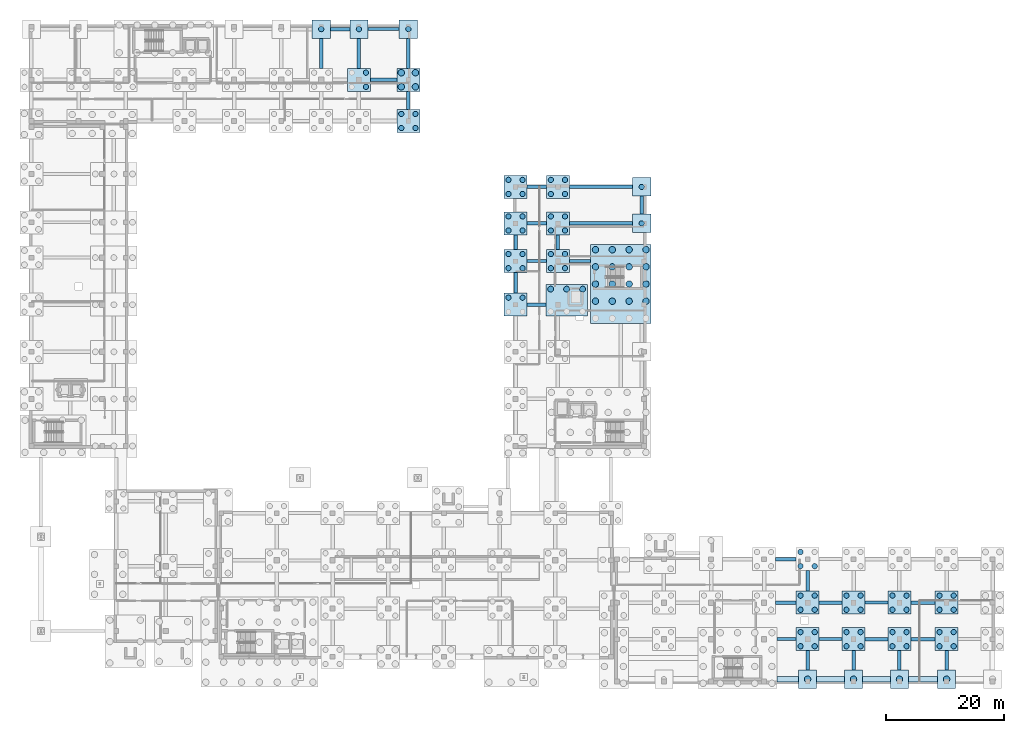
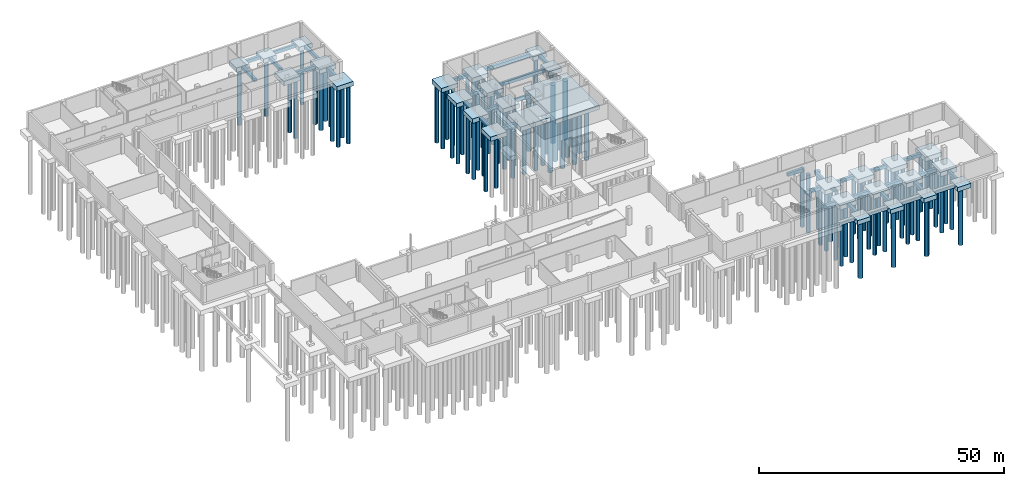
# One storey, part 5 of 31: 99 piles, 65 footings.
"""IFC4 building model written with IfcOpenShell, lengths in metres."""

from ifc_helpers import new_model, si_unit, direction, frame, origin, origin_2d, place, context, subcontext, project, spatial, rectangle, circle, extrude, material, material_profile, profile_set, type_object, element, save


model = new_model("IFC4")

# Units and contexts
model_context = context("Model", 3, precision=1e-05, world=origin(), true_north=direction((0.0, 1.0)))
body_context = subcontext(model_context, "Body", "Model", "MODEL_VIEW")
ifc_project = project(units=[si_unit("LENGTHUNIT", "METRE"), si_unit("AREAUNIT", "SQUARE_METRE"), si_unit("VOLUMEUNIT", "CUBIC_METRE"), si_unit("PLANEANGLEUNIT", "RADIAN"), si_unit("MASSUNIT", "GRAM", prefix="KILO")], contexts=[model_context])

# Site, building, storey
site_placement = place(None, origin())
site = spatial("IfcSite", under=ifc_project, at=site_placement, CompositionType="ELEMENT")
building_placement = place(site_placement, origin())
building = spatial("IfcBuilding", under=site, at=building_placement, Name="Qalavern Law Courts", CompositionType="ELEMENT")
storey_placement = place(building_placement, frame((0.0, 0.0, -8.39990234375)))
storey = spatial("IfcBuildingStorey", under=building, at=storey_placement, Name="B2", CompositionType="ELEMENT", Elevation=-8.39990234375)

# Footings
ifc_material = material(Name="Concrete C35/45", Category="concrete")
ifc_material_profile_1 = material_profile(ifc_material, rectangle(XDim=0.5, YDim=0.85009765625, at=origin_2d()), Name="RC 500x850")
ifc_profile_set_1 = profile_set([ifc_material_profile_1], Name="Concrete C35/45")
footing_type_1 = type_object("IfcFootingType", Name="STR-FB-500x850", PredefinedType="FOOTING_BEAM", material=ifc_profile_set_1)
footing_1_placement = place(storey_placement, frame((128.9951171875, 8.60009765625, -0.925048828125), z_axis=(1.0, 0.0, 0.0), x_axis=(0.0, 1.0, 0.0)))
element("IfcFooting", 1, at=footing_1_placement, inside=storey, type_object=footing_type_1, Name="Seismic tie beam 003", PredefinedType="FOOTING_BEAM", context=body_context, shape_type="SweptSolid", body=[
    extrude(rectangle(XDim=0.5, YDim=0.85009765625, at=origin_2d()), origin(), (0.0, 0.0, 1.0), 3.2548828125),
])
for number, where, z_axis, x_axis, name in (
    (2, (136.14990234375, 8.60009765625, -0.925048828125), (1.0, 0.0, 0.0), (0.0, 1.0, 0.0), "Seismic tie beam 018"),
    (3, (143.949951171875, 14.800048828125, -0.925048828125), (1.0, 0.0, 0.0), (0.0, 1.0, 0.0), "Seismic tie beam 042"),
):
    element("IfcFooting", number, at=place(storey_placement, frame(where, z_axis=z_axis, x_axis=x_axis)), inside=storey, type_object=footing_type_1, Name=name, PredefinedType="FOOTING_BEAM", context=body_context, shape_type="SweptSolid", body=[
        extrude(rectangle(XDim=0.5, YDim=0.85009765625, at=origin_2d()), origin(), (0.0, 0.0, 1.0), 3.900146484375),
    ])
footing_2_placement = place(storey_placement, frame((93.75, 72.800048828125, -0.925048828125), z_axis=(1.0, 0.0, 0.0), x_axis=(0.0, 1.0, 0.0)))
element("IfcFooting", 4, at=footing_2_placement, inside=storey, type_object=footing_type_1, Name="Seismic tie beam 108", PredefinedType="FOOTING_BEAM", context=body_context, shape_type="SweptSolid", body=[
    extrude(rectangle(XDim=0.5, YDim=0.85009765625, at=origin_2d()), origin(), (0.0, 0.0, 1.0), 3.574951171875),
])
footing_3_placement = place(storey_placement, frame((86.550048828125, 72.800048828125, -0.925048828125), z_axis=(1.0, 0.0, 0.0), x_axis=(0.0, 1.0, 0.0)))
element("IfcFooting", 5, at=footing_3_placement, inside=storey, type_object=footing_type_1, Name="Seismic tie beam 114", PredefinedType="FOOTING_BEAM", context=body_context, shape_type="SweptSolid", body=[
    extrude(rectangle(XDim=0.5, YDim=0.85009765625, at=origin_2d()), origin(), (0.0, 0.0, 1.0), 3.300048828125),
])
footing_4_placement = place(storey_placement, frame((59.550048828125, 112.199951171875, -0.925048828125), z_axis=(1.0, 0.0, 0.0), x_axis=(0.0, 1.0, 0.0)))
element("IfcFooting", 6, at=footing_4_placement, inside=storey, type_object=footing_type_1, Name="Seismic tie beam 165", PredefinedType="FOOTING_BEAM", context=body_context, shape_type="SweptSolid", body=[
    extrude(rectangle(XDim=0.5, YDim=0.85009765625, at=origin_2d()), origin(), (0.0, 0.0, 1.0), 5.300048828125),
])
ifc_material_profile_2 = material_profile(ifc_material, rectangle(XDim=0.60009765625, YDim=0.800048828125, at=origin_2d()), Name="RC 600x800")
ifc_profile_set_2 = profile_set([ifc_material_profile_2], Name="Concrete C35/45")
footing_type_2 = type_object("IfcFootingType", Name="STR-FB-600x800", PredefinedType="FOOTING_BEAM", material=ifc_profile_set_2)
for number, where, z_axis, x_axis, name in (
    (7, (134.199951171875, 3.35009765625, -0.900146484375), (0.0, 1.0, 0.0), (-1.0, 0.0, 0.0), "Seismic tie beam 004"),
    (8, (142.0, 3.35009765625, -0.900146484375), (0.0, 1.0, 0.0), (-1.0, 0.0, 0.0), "Seismic tie beam 005"),
    (9, (149.800048828125, 3.35009765625, -0.900146484375), (0.0, 1.0, 0.0), (-1.0, 0.0, 0.0), "Seismic tie beam 006"),
    (10, (157.800048828125, 3.35009765625, -0.900146484375), (0.0, 1.0, 0.0), (-1.0, 0.0, 0.0), "Seismic tie beam 007"),
):
    element("IfcFooting", number, at=place(storey_placement, frame(where, z_axis=z_axis, x_axis=x_axis)), inside=storey, type_object=footing_type_2, Name=name, PredefinedType="FOOTING_BEAM", context=body_context, shape_type="SweptSolid", body=[
        extrude(rectangle(XDim=0.60009765625, YDim=0.800048828125, at=origin_2d()), origin(), (0.0, 0.0, 1.0), 3.2998046875),
    ])
footing_5_placement = place(storey_placement, frame((143.949951171875, 8.60009765625, -0.900146484375), z_axis=(1.0, 0.0, 0.0), x_axis=(0.0, 1.0, 0.0)))
element("IfcFooting", 11, at=footing_5_placement, inside=storey, type_object=footing_type_2, Name="Seismic tie beam 019", PredefinedType="FOOTING_BEAM", context=body_context, shape_type="SweptSolid", body=[
    extrude(rectangle(XDim=0.60009765625, YDim=0.800048828125, at=origin_2d()), origin(), (0.0, 0.0, 1.0), 3.900146484375),
])
footing_6_placement = place(storey_placement, frame((151.75, 8.60009765625, -0.900146484375), z_axis=(1.0, 0.0, 0.0), x_axis=(0.0, 1.0, 0.0)))
element("IfcFooting", 12, at=footing_6_placement, inside=storey, type_object=footing_type_2, Name="Seismic tie beam 020", PredefinedType="FOOTING_BEAM", context=body_context, shape_type="SweptSolid", body=[
    extrude(rectangle(XDim=0.60009765625, YDim=0.800048828125, at=origin_2d()), origin(), (0.0, 0.0, 1.0), 4.10009765625),
])
footing_7_placement = place(storey_placement, frame((128.75, 14.800048828125, -0.900146484375), z_axis=(1.0, 0.0, 0.0), x_axis=(0.0, 1.0, 0.0)))
element("IfcFooting", 13, at=footing_7_placement, inside=storey, type_object=footing_type_2, Name="Seismic tie beam 038", PredefinedType="FOOTING_BEAM", context=body_context, shape_type="SweptSolid", body=[
    extrude(rectangle(XDim=0.60009765625, YDim=0.800048828125, at=origin_2d()), origin(), (0.0, 0.0, 1.0), 3.5),
])
footing_8_placement = place(storey_placement, frame((136.14990234375, 14.800048828125, -0.900146484375), z_axis=(1.0, 0.0, 0.0), x_axis=(0.0, 1.0, 0.0)))
element("IfcFooting", 14, at=footing_8_placement, inside=storey, type_object=footing_type_2, Name="Seismic tie beam 040", PredefinedType="FOOTING_BEAM", context=body_context, shape_type="SweptSolid", body=[
    extrude(rectangle(XDim=0.60009765625, YDim=0.800048828125, at=origin_2d()), origin(), (0.0, 0.0, 1.0), 3.900146484375),
])
footing_9_placement = place(storey_placement, frame((134.199951171875, 16.75, -0.900146484375), z_axis=(0.0, 1.0, 0.0), x_axis=(-1.0, 0.0, 0.0)))
element("IfcFooting", 15, at=footing_9_placement, inside=storey, type_object=footing_type_2, Name="Seismic tie beam 041", PredefinedType="FOOTING_BEAM", context=body_context, shape_type="SweptSolid", body=[
    extrude(rectangle(XDim=0.60009765625, YDim=0.800048828125, at=origin_2d()), origin(), (0.0, 0.0, 1.0), 3.5),
])
footing_10_placement = place(storey_placement, frame((151.75, 14.800048828125, -0.900146484375), z_axis=(1.0, 0.0, 0.0), x_axis=(0.0, 1.0, 0.0)))
element("IfcFooting", 16, at=footing_10_placement, inside=storey, type_object=footing_type_2, Name="Seismic tie beam 044", PredefinedType="FOOTING_BEAM", context=body_context, shape_type="SweptSolid", body=[
    extrude(rectangle(XDim=0.60009765625, YDim=0.800048828125, at=origin_2d()), origin(), (0.0, 0.0, 1.0), 4.10009765625),
])
footing_11_placement = place(storey_placement, frame((128.75, 22.199951171875, -0.900146484375), z_axis=(1.0, 0.0, 0.0), x_axis=(0.0, 1.0, 0.0)))
element("IfcFooting", 17, at=footing_11_placement, inside=storey, type_object=footing_type_2, Name="Seismic tie beam 071", PredefinedType="FOOTING_BEAM", context=body_context, shape_type="SweptSolid", body=[
    extrude(rectangle(XDim=0.60009765625, YDim=0.800048828125, at=origin_2d()), origin(), (0.0, 0.0, 1.0), 3.5),
])
footing_12_placement = place(storey_placement, frame((86.550048828125, 65.39990234375, -0.900146484375), z_axis=(1.0, 0.0, 0.0), x_axis=(0.0, 1.0, 0.0)))
element("IfcFooting", 18, at=footing_12_placement, inside=storey, type_object=footing_type_2, Name="Seismic tie beam 112", PredefinedType="FOOTING_BEAM", context=body_context, shape_type="SweptSolid", body=[
    extrude(rectangle(XDim=0.60009765625, YDim=0.800048828125, at=origin_2d()), origin(), (0.0, 0.0, 1.0), 3.21484375),
])
footing_13_placement = place(storey_placement, frame((84.60009765625, 67.35009765625, -0.900146484375), z_axis=(0.0, 1.0, 0.0), x_axis=(-1.0, 0.0, 0.0)))
element("IfcFooting", 19, at=footing_13_placement, inside=storey, type_object=footing_type_2, Name="Seismic tie beam 113", PredefinedType="FOOTING_BEAM", context=body_context, shape_type="SweptSolid", body=[
    extrude(rectangle(XDim=0.60009765625, YDim=0.800048828125, at=origin_2d()), origin(), (0.0, 0.0, 1.0), 3.5),
])
for number, where, z_axis, x_axis, name in (
    (20, (84.60009765625, 74.75, -0.900146484375), (0.0, 1.0, 0.0), (-1.0, 0.0, 0.0), "Seismic tie beam 115"),
    (21, (91.800048828125, 74.75, -0.900146484375), (0.0, 1.0, 0.0), (-1.0, 0.0, 0.0), "Seismic tie beam 116"),
):
    element("IfcFooting", number, at=place(storey_placement, frame(where, z_axis=z_axis, x_axis=x_axis)), inside=storey, type_object=footing_type_2, Name=name, PredefinedType="FOOTING_BEAM", context=body_context, shape_type="SweptSolid", body=[
        extrude(rectangle(XDim=0.60009765625, YDim=0.800048828125, at=origin_2d()), origin(), (0.0, 0.0, 1.0), 2.5),
    ])
footing_14_placement = place(storey_placement, frame((86.550048828125, 79.199951171875, -0.900146484375), z_axis=(1.0, 0.0, 0.0), x_axis=(0.0, 1.0, 0.0)))
element("IfcFooting", 22, at=footing_14_placement, inside=storey, type_object=footing_type_2, Name="Seismic tie beam 118", PredefinedType="FOOTING_BEAM", context=body_context, shape_type="SweptSolid", body=[
    extrude(rectangle(XDim=0.60009765625, YDim=0.800048828125, at=origin_2d()), origin(), (0.0, 0.0, 1.0), 3.300048828125),
])
footing_15_placement = place(storey_placement, frame((93.75, 79.199951171875, -0.900146484375), z_axis=(1.0, 0.0, 0.0), x_axis=(0.0, 1.0, 0.0)))
element("IfcFooting", 23, at=footing_15_placement, inside=storey, type_object=footing_type_2, Name="Seismic tie beam 119", PredefinedType="FOOTING_BEAM", context=body_context, shape_type="SweptSolid", body=[
    extrude(rectangle(XDim=0.60009765625, YDim=0.800048828125, at=origin_2d()), origin(), (0.0, 0.0, 1.0), 10.699951171875),
])
footing_16_placement = place(storey_placement, frame((106.02490234375, 80.77490234375, -0.900146484375), z_axis=(0.0, 1.0, 0.0), x_axis=(-1.0, 0.0, 0.0)))
element("IfcFooting", 24, at=footing_16_placement, inside=storey, type_object=footing_type_2, Name="Seismic tie beam 123", PredefinedType="FOOTING_BEAM", context=body_context, shape_type="SweptSolid", body=[
    extrude(rectangle(XDim=0.60009765625, YDim=0.800048828125, at=origin_2d()), origin(), (0.0, 0.0, 1.0), 3.050048828125),
])
footing_17_placement = place(storey_placement, frame((86.550048828125, 85.39990234375, -0.900146484375), z_axis=(1.0, 0.0, 0.0), x_axis=(0.0, 1.0, 0.0)))
element("IfcFooting", 25, at=footing_17_placement, inside=storey, type_object=footing_type_2, Name="Seismic tie beam 124", PredefinedType="FOOTING_BEAM", context=body_context, shape_type="SweptSolid", body=[
    extrude(rectangle(XDim=0.60009765625, YDim=0.800048828125, at=origin_2d()), origin(), (0.0, 0.0, 1.0), 3.300048828125),
])
footing_18_placement = place(storey_placement, frame((93.75, 85.39990234375, -0.900146484375), z_axis=(1.0, 0.0, 0.0), x_axis=(0.0, 1.0, 0.0)))
element("IfcFooting", 26, at=footing_18_placement, inside=storey, type_object=footing_type_2, Name="Seismic tie beam 125", PredefinedType="FOOTING_BEAM", context=body_context, shape_type="SweptSolid", body=[
    extrude(rectangle(XDim=0.60009765625, YDim=0.800048828125, at=origin_2d()), origin(), (0.0, 0.0, 1.0), 10.699951171875),
])
footing_19_placement = place(storey_placement, frame((66.39990234375, 98.550048828125, -0.900146484375), z_axis=(0.0, 1.0, 0.0), x_axis=(-1.0, 0.0, 0.0)))
element("IfcFooting", 27, at=footing_19_placement, inside=storey, type_object=footing_type_2, Name="Seismic tie beam 144", PredefinedType="FOOTING_BEAM", context=body_context, shape_type="SweptSolid", body=[
    extrude(rectangle(XDim=0.60009765625, YDim=0.800048828125, at=origin_2d()), origin(), (0.0, 0.0, 1.0), 3.099853515625),
])
footing_20_placement = place(storey_placement, frame((51.60009765625, 105.550048828125, -0.900146484375), z_axis=(0.0, 1.0, 0.0), x_axis=(-1.0, 0.0, 0.0)))
element("IfcFooting", 28, at=footing_20_placement, inside=storey, type_object=footing_type_2, Name="Seismic tie beam 156", PredefinedType="FOOTING_BEAM", context=body_context, shape_type="SweptSolid", body=[
    extrude(rectangle(XDim=0.60009765625, YDim=0.800048828125, at=origin_2d()), origin(), (0.0, 0.0, 1.0), 5.099853515625),
])
footing_21_placement = place(storey_placement, frame((59.949951171875, 103.60009765625, -0.900146484375), z_axis=(1.0, 0.0, 0.0), x_axis=(0.0, 1.0, 0.0)))
element("IfcFooting", 29, at=footing_21_placement, inside=storey, type_object=footing_type_2, Name="Seismic tie beam 157", PredefinedType="FOOTING_BEAM", context=body_context, shape_type="SweptSolid", body=[
    extrude(rectangle(XDim=0.60009765625, YDim=0.800048828125, at=origin_2d()), origin(), (0.0, 0.0, 1.0), 4.5),
])
for number, where, z_axis, x_axis, name in (
    (30, (58.0, 105.550048828125, -0.900146484375), (0.0, 1.0, 0.0), (-1.0, 0.0, 0.0), "Seismic tie beam 158"),
    (31, (66.39990234375, 105.550048828125, -0.900146484375), (0.0, 1.0, 0.0), (-1.0, 0.0, 0.0), "Seismic tie beam 159"),
):
    element("IfcFooting", number, at=place(storey_placement, frame(where, z_axis=z_axis, x_axis=x_axis)), inside=storey, type_object=footing_type_2, Name=name, PredefinedType="FOOTING_BEAM", context=body_context, shape_type="SweptSolid", body=[
        extrude(rectangle(XDim=0.60009765625, YDim=0.800048828125, at=origin_2d()), origin(), (0.0, 0.0, 1.0), 5.099853515625),
    ])
footing_22_placement = place(storey_placement, frame((53.14990234375, 112.199951171875, -0.900146484375), z_axis=(1.0, 0.0, 0.0), x_axis=(0.0, 1.0, 0.0)))
element("IfcFooting", 32, at=footing_22_placement, inside=storey, type_object=footing_type_2, Name="Seismic tie beam 164", PredefinedType="FOOTING_BEAM", context=body_context, shape_type="SweptSolid", body=[
    extrude(rectangle(XDim=0.60009765625, YDim=0.800048828125, at=origin_2d()), origin(), (0.0, 0.0, 1.0), 3.300048828125),
])
footing_type_3 = type_object("IfcFootingType", Name="STR-PC-10275x13357x1100", PredefinedType="PILE_CAP", material=ifc_material)
footing_23_placement = place(storey_placement, frame((102.46240234375, 68.91259765625, -1.60009765625), z_axis=(0.0, 0.0, 1.0), x_axis=(1.0, 0.0, 0.0)))
element("IfcFooting", 33, at=footing_23_placement, inside=storey, type_object=footing_type_3, Name="Pile cap 082", PredefinedType="PILE_CAP", context=body_context, shape_type="SweptSolid", body=[
    extrude(rectangle(XDim=10.27490234375, YDim=13.35693359375, at=origin_2d()), origin(), (0.0, 0.0, 1.0), 1.10009765625),
])
footing_type_4 = type_object("IfcFootingType", Name="STR-PC-3100x3100x1100", PredefinedType="PILE_CAP", material=ifc_material)
for number, where, z_axis, x_axis, name in (
    (34, (134.199951171875, 1.800048828125, -1.60009765625), (0.0, 0.0, 1.0), (1.0, 0.0, 0.0), "Pile cap 004"),
    (35, (142.0, 1.800048828125, -1.60009765625), (0.0, 0.0, 1.0), (1.0, 0.0, 0.0), "Pile cap 005"),
    (36, (149.800048828125, 1.800048828125, -1.60009765625), (0.0, 0.0, 1.0), (1.0, 0.0, 0.0), "Pile cap 006"),
    (37, (157.800048828125, 1.800048828125, -1.60009765625), (0.0, 0.0, 1.0), (1.0, 0.0, 0.0), "Pile cap 007"),
    (38, (51.60009765625, 112.199951171875, -1.60009765625), (0.0, 0.0, 1.0), (1.0, 0.0, 0.0), "Pile cap 123"),
    (39, (58.0, 112.199951171875, -1.60009765625), (0.0, 0.0, 1.0), (1.0, 0.0, 0.0), "Pile cap 124"),
    (40, (66.39990234375, 112.199951171875, -1.60009765625), (0.0, 0.0, 1.0), (1.0, 0.0, 0.0), "Pile cap 125"),
):
    element("IfcFooting", number, at=place(storey_placement, frame(where, z_axis=z_axis, x_axis=x_axis)), inside=storey, type_object=footing_type_4, Name=name, PredefinedType="PILE_CAP", context=body_context, shape_type="SweptSolid", body=[
        extrude(rectangle(XDim=3.10009765625, YDim=3.10009765625, at=origin_2d()), origin(), (0.0, 0.0, 1.0), 1.10009765625),
    ])
footing_type_5 = type_object("IfcFootingType", Name="STR-PC-3150x3150x1100", PredefinedType="PILE_CAP", material=ifc_material)
for number, where, z_axis, x_axis, name in (
    (41, (106.02490234375, 79.199951171875, -1.60009765625), (0.0, 0.0, 1.0), (1.0, 0.0, 0.0), "Pile cap 095"),
    (42, (106.02490234375, 85.39990234375, -1.60009765625), (0.0, 0.0, 1.0), (1.0, 0.0, 0.0), "Pile cap 098"),
):
    element("IfcFooting", number, at=place(storey_placement, frame(where, z_axis=z_axis, x_axis=x_axis)), inside=storey, type_object=footing_type_5, Name=name, PredefinedType="PILE_CAP", context=body_context, shape_type="SweptSolid", body=[
        extrude(rectangle(XDim=3.14990234375, YDim=3.14990234375, at=origin_2d()), origin(), (0.0, 0.0, 1.0), 1.10009765625),
    ])
footing_type_6 = type_object("IfcFootingType", Name="STR-PC-3900x3900x1100", PredefinedType="PILE_CAP", material=ifc_material)
for number, where, z_axis, x_axis, name in (
    (43, (134.199951171875, 8.60009765625, -1.60009765625), (0.0, 0.0, 1.0), (1.0, 0.0, 0.0), "Pile cap 018"),
    (44, (142.0, 8.60009765625, -1.60009765625), (0.0, 0.0, 1.0), (1.0, 0.0, 0.0), "Pile cap 019"),
    (45, (149.800048828125, 8.60009765625, -1.60009765625), (0.0, 0.0, 1.0), (1.0, 0.0, 0.0), "Pile cap 020"),
    (46, (157.800048828125, 8.60009765625, -1.60009765625), (0.0, 0.0, 1.0), (1.0, 0.0, 0.0), "Pile cap 021"),
    (47, (134.199951171875, 14.800048828125, -1.60009765625), (0.0, 0.0, 1.0), (1.0, 0.0, 0.0), "Pile cap 033"),
    (48, (142.0, 14.800048828125, -1.60009765625), (0.0, 0.0, 1.0), (1.0, 0.0, 0.0), "Pile cap 034"),
    (49, (149.800048828125, 14.800048828125, -1.60009765625), (0.0, 0.0, 1.0), (1.0, 0.0, 0.0), "Pile cap 035"),
    (50, (157.800048828125, 14.800048828125, -1.60009765625), (0.0, 0.0, 1.0), (1.0, 0.0, 0.0), "Pile cap 036"),
    (51, (84.60009765625, 65.39990234375, -1.60009765625), (0.0, 0.0, 1.0), (1.0, 0.0, 0.0), "Pile cap 085"),
    (52, (84.60009765625, 72.800048828125, -1.60009765625), (0.0, 0.0, 1.0), (1.0, 0.0, 0.0), "Pile cap 087"),
    (53, (91.800048828125, 72.800048828125, -1.60009765625), (0.0, 0.0, 1.0), (1.0, 0.0, 0.0), "Pile cap 088"),
    (54, (84.60009765625, 79.199951171875, -1.60009765625), (0.0, 0.0, 1.0), (1.0, 0.0, 0.0), "Pile cap 091"),
    (55, (91.800048828125, 79.199951171875, -1.60009765625), (0.0, 0.0, 1.0), (1.0, 0.0, 0.0), "Pile cap 092"),
    (56, (84.60009765625, 85.39990234375, -1.60009765625), (0.0, 0.0, 1.0), (1.0, 0.0, 0.0), "Pile cap 096"),
    (57, (91.800048828125, 85.39990234375, -1.60009765625), (0.0, 0.0, 1.0), (1.0, 0.0, 0.0), "Pile cap 097"),
    (58, (66.39990234375, 96.60009765625, -1.60009765625), (0.0, 0.0, 1.0), (1.0, 0.0, 0.0), "Pile cap 108"),
    (59, (58.0, 103.60009765625, -1.60009765625), (0.0, 0.0, 1.0), (1.0, 0.0, 0.0), "Pile cap 116"),
    (60, (66.39990234375, 103.60009765625, -1.60009765625), (0.0, 0.0, 1.0), (1.0, 0.0, 0.0), "Pile cap 117"),
):
    element("IfcFooting", number, at=place(storey_placement, frame(where, z_axis=z_axis, x_axis=x_axis)), inside=storey, type_object=footing_type_6, Name=name, PredefinedType="PILE_CAP", context=body_context, shape_type="SweptSolid", body=[
        extrude(rectangle(XDim=3.89990234375, YDim=3.89990234375, at=origin_2d()), origin(), (0.0, 0.0, 1.0), 1.10009765625),
    ])
footing_type_7 = type_object("IfcFootingType", Name="STR-PC-7020x5400x1100", PredefinedType="PILE_CAP", material=ifc_material)
footing_24_placement = place(storey_placement, frame((93.27490234375, 66.14990234375, -1.60009765625), z_axis=(0.0, 0.0, 1.0), x_axis=(1.0, 0.0, 0.0)))
element("IfcFooting", 61, at=footing_24_placement, inside=storey, type_object=footing_type_7, Name="Pile cap 086", PredefinedType="PILE_CAP", context=body_context, shape_type="SweptSolid", body=[
    extrude(rectangle(XDim=7.02001953125, YDim=5.39990234375, at=origin_2d()), origin(), (0.0, 0.0, 1.0), 1.10009765625),
])

# Piles
ifc_material_profile_3 = material_profile(ifc_material, circle(Radius=0.5, at=origin_2d()), Name="BORED PILE 1000")
ifc_profile_set_3 = profile_set([ifc_material_profile_3], Name="Concrete C35/45")
pile_type_1 = type_object("IfcPileType", Name="STR-PILE-1000", PredefinedType="BORED", material=ifc_profile_set_3)
for number, where, z_axis, x_axis, name in (
    (62, (90.56494140625, 68.050048828125, -1.5), (0.0, 0.0, -1.0), (1.0, 0.0, 0.0), "Bored pile 0400"),
    (63, (93.27490234375, 68.050048828125, -1.5), (0.0, 0.0, -1.0), (1.0, 0.0, 0.0), "Bored pile 0402"),
    (64, (95.985107421875, 68.050048828125, -1.5), (0.0, 0.0, -1.0), (1.0, 0.0, 0.0), "Bored pile 0404"),
):
    element("IfcPile", number, at=place(storey_placement, frame(where, z_axis=z_axis, x_axis=x_axis)), inside=storey, type_object=pile_type_1, Name=name, PredefinedType="BORED", context=body_context, shape_type="SweptSolid", body=[
        extrude(circle(Radius=0.5, at=origin_2d()), origin(), (0.0, 0.0, 1.0), 14.5),
    ])
ifc_material_profile_4 = material_profile(ifc_material, circle(Radius=0.550048828125, at=origin_2d()), Name="BORED PILE 1100")
ifc_profile_set_4 = profile_set([ifc_material_profile_4], Name="Concrete C35/45")
pile_type_2 = type_object("IfcPileType", Name="STR-PILE-1100", PredefinedType="BORED", material=ifc_profile_set_4)
for number, where, z_axis, x_axis, name in (
    (65, (134.199951171875, 1.800048828125, -1.5), (0.0, 0.0, -1.0), (1.0, 0.0, 0.0), "Bored pile 0030"),
    (66, (142.0, 1.800048828125, -1.5), (0.0, 0.0, -1.0), (1.0, 0.0, 0.0), "Bored pile 0031"),
    (67, (149.800048828125, 1.800048828125, -1.5), (0.0, 0.0, -1.0), (1.0, 0.0, 0.0), "Bored pile 0032"),
    (68, (157.800048828125, 1.800048828125, -1.5), (0.0, 0.0, -1.0), (1.0, 0.0, 0.0), "Bored pile 0033"),
    (69, (98.175048828125, 65.998291015625, -1.5), (0.0, 0.0, -1.0), (1.0, 0.0, 0.0), "Bored pile 0369"),
    (70, (98.175048828125, 68.91259765625, -1.5), (0.0, 0.0, -1.0), (1.0, 0.0, 0.0), "Bored pile 0370"),
    (71, (98.175048828125, 71.826904296875, -1.5), (0.0, 0.0, -1.0), (1.0, 0.0, 0.0), "Bored pile 0371"),
    (72, (98.175048828125, 74.740966796875, -1.5), (0.0, 0.0, -1.0), (1.0, 0.0, 0.0), "Bored pile 0372"),
    (73, (101.033203125, 65.998291015625, -1.5), (0.0, 0.0, -1.0), (1.0, 0.0, 0.0), "Bored pile 0374"),
    (74, (101.033203125, 68.91259765625, -1.5), (0.0, 0.0, -1.0), (1.0, 0.0, 0.0), "Bored pile 0375"),
    (75, (101.033203125, 71.826904296875, -1.5), (0.0, 0.0, -1.0), (1.0, 0.0, 0.0), "Bored pile 0376"),
    (76, (101.033203125, 74.740966796875, -1.5), (0.0, 0.0, -1.0), (1.0, 0.0, 0.0), "Bored pile 0377"),
    (77, (103.8916015625, 65.998291015625, -1.5), (0.0, 0.0, -1.0), (1.0, 0.0, 0.0), "Bored pile 0379"),
    (78, (103.8916015625, 68.91259765625, -1.5), (0.0, 0.0, -1.0), (1.0, 0.0, 0.0), "Bored pile 0380"),
    (79, (103.8916015625, 71.826904296875, -1.5), (0.0, 0.0, -1.0), (1.0, 0.0, 0.0), "Bored pile 0381"),
    (80, (103.8916015625, 74.740966796875, -1.5), (0.0, 0.0, -1.0), (1.0, 0.0, 0.0), "Bored pile 0382"),
    (81, (106.75, 65.998291015625, -1.5), (0.0, 0.0, -1.0), (1.0, 0.0, 0.0), "Bored pile 0384"),
    (82, (106.75, 68.91259765625, -1.5), (0.0, 0.0, -1.0), (1.0, 0.0, 0.0), "Bored pile 0385"),
    (83, (106.75, 71.826904296875, -1.5), (0.0, 0.0, -1.0), (1.0, 0.0, 0.0), "Bored pile 0386"),
    (84, (106.75, 74.740966796875, -1.5), (0.0, 0.0, -1.0), (1.0, 0.0, 0.0), "Bored pile 0387"),
    (85, (65.199951171875, 102.39990234375, -1.5), (0.0, 0.0, -1.0), (1.0, 0.0, 0.0), "Bored pile 0520"),
    (86, (65.199951171875, 104.800048828125, -1.5), (0.0, 0.0, -1.0), (1.0, 0.0, 0.0), "Bored pile 0521"),
    (87, (67.60009765625, 102.39990234375, -1.5), (0.0, 0.0, -1.0), (1.0, 0.0, 0.0), "Bored pile 0522"),
    (88, (67.60009765625, 104.800048828125, -1.5), (0.0, 0.0, -1.0), (1.0, 0.0, 0.0), "Bored pile 0523"),
):
    element("IfcPile", number, at=place(storey_placement, frame(where, z_axis=z_axis, x_axis=x_axis)), inside=storey, type_object=pile_type_2, Name=name, PredefinedType="BORED", context=body_context, shape_type="SweptSolid", body=[
        extrude(circle(Radius=0.550048828125, at=origin_2d()), origin(), (0.0, 0.0, 1.0), 14.5),
    ])
ifc_material_profile_5 = material_profile(ifc_material, circle(Radius=0.449951171875, at=origin_2d()), Name="BORED PILE 900")
ifc_profile_set_5 = profile_set([ifc_material_profile_5], Name="Concrete C35/45")
pile_type_3 = type_object("IfcPileType", Name="STR-PILE-900", PredefinedType="BORED", material=ifc_profile_set_5)
for number, where, z_axis, x_axis, name in (
    (89, (133.0, 7.39990234375, -1.5), (0.0, 0.0, -1.0), (1.0, 0.0, 0.0), "Bored pile 0108"),
    (90, (133.0, 9.800048828125, -1.5), (0.0, 0.0, -1.0), (1.0, 0.0, 0.0), "Bored pile 0109"),
    (91, (135.39990234375, 7.39990234375, -1.5), (0.0, 0.0, -1.0), (1.0, 0.0, 0.0), "Bored pile 0110"),
    (92, (135.39990234375, 9.800048828125, -1.5), (0.0, 0.0, -1.0), (1.0, 0.0, 0.0), "Bored pile 0111"),
    (93, (140.800048828125, 7.39990234375, -1.5), (0.0, 0.0, -1.0), (1.0, 0.0, 0.0), "Bored pile 0112"),
    (94, (140.800048828125, 9.800048828125, -1.5), (0.0, 0.0, -1.0), (1.0, 0.0, 0.0), "Bored pile 0113"),
    (95, (143.199951171875, 7.39990234375, -1.5), (0.0, 0.0, -1.0), (1.0, 0.0, 0.0), "Bored pile 0114"),
    (96, (143.199951171875, 9.800048828125, -1.5), (0.0, 0.0, -1.0), (1.0, 0.0, 0.0), "Bored pile 0115"),
    (97, (148.60009765625, 7.39990234375, -1.5), (0.0, 0.0, -1.0), (1.0, 0.0, 0.0), "Bored pile 0116"),
    (98, (148.60009765625, 9.800048828125, -1.5), (0.0, 0.0, -1.0), (1.0, 0.0, 0.0), "Bored pile 0117"),
    (99, (151.0, 7.39990234375, -1.5), (0.0, 0.0, -1.0), (1.0, 0.0, 0.0), "Bored pile 0118"),
    (100, (151.0, 9.800048828125, -1.5), (0.0, 0.0, -1.0), (1.0, 0.0, 0.0), "Bored pile 0119"),
    (101, (156.60009765625, 7.39990234375, -1.5), (0.0, 0.0, -1.0), (1.0, 0.0, 0.0), "Bored pile 0120"),
    (102, (156.60009765625, 9.800048828125, -1.5), (0.0, 0.0, -1.0), (1.0, 0.0, 0.0), "Bored pile 0121"),
    (103, (159.0, 7.39990234375, -1.5), (0.0, 0.0, -1.0), (1.0, 0.0, 0.0), "Bored pile 0122"),
    (104, (159.0, 9.800048828125, -1.5), (0.0, 0.0, -1.0), (1.0, 0.0, 0.0), "Bored pile 0123"),
    (105, (133.0, 13.60009765625, -1.5), (0.0, 0.0, -1.0), (1.0, 0.0, 0.0), "Bored pile 0165"),
    (106, (133.0, 16.0, -1.5), (0.0, 0.0, -1.0), (1.0, 0.0, 0.0), "Bored pile 0166"),
    (107, (135.39990234375, 13.60009765625, -1.5), (0.0, 0.0, -1.0), (1.0, 0.0, 0.0), "Bored pile 0167"),
    (108, (135.39990234375, 16.0, -1.5), (0.0, 0.0, -1.0), (1.0, 0.0, 0.0), "Bored pile 0168"),
    (109, (140.800048828125, 13.60009765625, -1.5), (0.0, 0.0, -1.0), (1.0, 0.0, 0.0), "Bored pile 0169"),
    (110, (140.800048828125, 16.0, -1.5), (0.0, 0.0, -1.0), (1.0, 0.0, 0.0), "Bored pile 0170"),
    (111, (143.199951171875, 13.60009765625, -1.5), (0.0, 0.0, -1.0), (1.0, 0.0, 0.0), "Bored pile 0171"),
    (112, (143.199951171875, 16.0, -1.5), (0.0, 0.0, -1.0), (1.0, 0.0, 0.0), "Bored pile 0172"),
    (113, (148.60009765625, 13.60009765625, -1.5), (0.0, 0.0, -1.0), (1.0, 0.0, 0.0), "Bored pile 0173"),
    (114, (148.60009765625, 16.0, -1.5), (0.0, 0.0, -1.0), (1.0, 0.0, 0.0), "Bored pile 0174"),
    (115, (151.0, 13.60009765625, -1.5), (0.0, 0.0, -1.0), (1.0, 0.0, 0.0), "Bored pile 0175"),
    (116, (151.0, 16.0, -1.5), (0.0, 0.0, -1.0), (1.0, 0.0, 0.0), "Bored pile 0176"),
    (117, (156.60009765625, 13.60009765625, -1.5), (0.0, 0.0, -1.0), (1.0, 0.0, 0.0), "Bored pile 0177"),
    (118, (156.60009765625, 16.0, -1.5), (0.0, 0.0, -1.0), (1.0, 0.0, 0.0), "Bored pile 0178"),
    (119, (159.0, 13.60009765625, -1.5), (0.0, 0.0, -1.0), (1.0, 0.0, 0.0), "Bored pile 0179"),
    (120, (159.0, 16.0, -1.5), (0.0, 0.0, -1.0), (1.0, 0.0, 0.0), "Bored pile 0180"),
    (121, (133.0, 21.0, -1.5), (0.0, 0.0, -1.0), (1.0, 0.0, 0.0), "Bored pile 0237"),
    (122, (133.0, 23.39990234375, -1.5), (0.0, 0.0, -1.0), (1.0, 0.0, 0.0), "Bored pile 0238"),
    (123, (135.39990234375, 21.0, -1.5), (0.0, 0.0, -1.0), (1.0, 0.0, 0.0), "Bored pile 0239"),
    (124, (83.39990234375, 66.60009765625, -1.5), (0.0, 0.0, -1.0), (1.0, 0.0, 0.0), "Bored pile 0396"),
    (125, (85.800048828125, 66.60009765625, -1.5), (0.0, 0.0, -1.0), (1.0, 0.0, 0.0), "Bored pile 0398"),
    (126, (83.39990234375, 71.60009765625, -1.5), (0.0, 0.0, -1.0), (1.0, 0.0, 0.0), "Bored pile 0405"),
    (127, (83.39990234375, 74.0, -1.5), (0.0, 0.0, -1.0), (1.0, 0.0, 0.0), "Bored pile 0406"),
    (128, (85.800048828125, 71.60009765625, -1.5), (0.0, 0.0, -1.0), (1.0, 0.0, 0.0), "Bored pile 0407"),
    (129, (85.800048828125, 74.0, -1.5), (0.0, 0.0, -1.0), (1.0, 0.0, 0.0), "Bored pile 0408"),
    (130, (90.60009765625, 71.60009765625, -1.5), (0.0, 0.0, -1.0), (1.0, 0.0, 0.0), "Bored pile 0409"),
    (131, (90.60009765625, 74.0, -1.5), (0.0, 0.0, -1.0), (1.0, 0.0, 0.0), "Bored pile 0410"),
    (132, (93.0, 71.60009765625, -1.5), (0.0, 0.0, -1.0), (1.0, 0.0, 0.0), "Bored pile 0411"),
    (133, (93.0, 74.0, -1.5), (0.0, 0.0, -1.0), (1.0, 0.0, 0.0), "Bored pile 0412"),
    (134, (83.39990234375, 78.0, -1.5), (0.0, 0.0, -1.0), (1.0, 0.0, 0.0), "Bored pile 0420"),
    (135, (83.39990234375, 80.39990234375, -1.5), (0.0, 0.0, -1.0), (1.0, 0.0, 0.0), "Bored pile 0421"),
    (136, (85.800048828125, 78.0, -1.5), (0.0, 0.0, -1.0), (1.0, 0.0, 0.0), "Bored pile 0422"),
    (137, (85.800048828125, 80.39990234375, -1.5), (0.0, 0.0, -1.0), (1.0, 0.0, 0.0), "Bored pile 0423"),
    (138, (90.60009765625, 78.0, -1.5), (0.0, 0.0, -1.0), (1.0, 0.0, 0.0), "Bored pile 0424"),
    (139, (90.60009765625, 80.39990234375, -1.5), (0.0, 0.0, -1.0), (1.0, 0.0, 0.0), "Bored pile 0425"),
    (140, (93.0, 78.0, -1.5), (0.0, 0.0, -1.0), (1.0, 0.0, 0.0), "Bored pile 0426"),
    (141, (93.0, 80.39990234375, -1.5), (0.0, 0.0, -1.0), (1.0, 0.0, 0.0), "Bored pile 0427"),
    (142, (106.02490234375, 79.199951171875, -1.5), (0.0, 0.0, -1.0), (1.0, 0.0, 0.0), "Bored pile 0435"),
    (143, (83.39990234375, 84.199951171875, -1.5), (0.0, 0.0, -1.0), (1.0, 0.0, 0.0), "Bored pile 0436"),
    (144, (83.39990234375, 86.60009765625, -1.5), (0.0, 0.0, -1.0), (1.0, 0.0, 0.0), "Bored pile 0437"),
    (145, (85.800048828125, 84.199951171875, -1.5), (0.0, 0.0, -1.0), (1.0, 0.0, 0.0), "Bored pile 0438"),
    (146, (85.800048828125, 86.60009765625, -1.5), (0.0, 0.0, -1.0), (1.0, 0.0, 0.0), "Bored pile 0439"),
    (147, (90.60009765625, 84.199951171875, -1.5), (0.0, 0.0, -1.0), (1.0, 0.0, 0.0), "Bored pile 0440"),
    (148, (90.60009765625, 86.60009765625, -1.5), (0.0, 0.0, -1.0), (1.0, 0.0, 0.0), "Bored pile 0441"),
    (149, (93.0, 84.199951171875, -1.5), (0.0, 0.0, -1.0), (1.0, 0.0, 0.0), "Bored pile 0442"),
    (150, (93.0, 86.60009765625, -1.5), (0.0, 0.0, -1.0), (1.0, 0.0, 0.0), "Bored pile 0443"),
    (151, (106.02490234375, 85.39990234375, -1.5), (0.0, 0.0, -1.0), (1.0, 0.0, 0.0), "Bored pile 0444"),
    (152, (65.199951171875, 95.39990234375, -1.5), (0.0, 0.0, -1.0), (1.0, 0.0, 0.0), "Bored pile 0484"),
    (153, (65.199951171875, 97.800048828125, -1.5), (0.0, 0.0, -1.0), (1.0, 0.0, 0.0), "Bored pile 0485"),
    (154, (67.60009765625, 95.39990234375, -1.5), (0.0, 0.0, -1.0), (1.0, 0.0, 0.0), "Bored pile 0486"),
    (155, (67.60009765625, 97.800048828125, -1.5), (0.0, 0.0, -1.0), (1.0, 0.0, 0.0), "Bored pile 0487"),
    (156, (59.199951171875, 102.39990234375, -1.5), (0.0, 0.0, -1.0), (1.0, 0.0, 0.0), "Bored pile 0518"),
    (157, (59.199951171875, 104.800048828125, -1.5), (0.0, 0.0, -1.0), (1.0, 0.0, 0.0), "Bored pile 0519"),
    (158, (51.60009765625, 112.199951171875, -1.5), (0.0, 0.0, -1.0), (1.0, 0.0, 0.0), "Bored pile 0540"),
    (159, (58.0, 112.199951171875, -1.5), (0.0, 0.0, -1.0), (1.0, 0.0, 0.0), "Bored pile 0541"),
    (160, (66.39990234375, 112.199951171875, -1.5), (0.0, 0.0, -1.0), (1.0, 0.0, 0.0), "Bored pile 0542"),
):
    element("IfcPile", number, at=place(storey_placement, frame(where, z_axis=z_axis, x_axis=x_axis)), inside=storey, type_object=pile_type_3, Name=name, PredefinedType="BORED", context=body_context, shape_type="SweptSolid", body=[
        extrude(circle(Radius=0.449951171875, at=origin_2d()), origin(), (0.0, 0.0, 1.0), 14.5),
    ])

# Footings
ifc_material_profile_6 = material_profile(ifc_material, rectangle(XDim=0.89990234375, YDim=0.699951171875, at=origin_2d()), Name="RC 900x700")
ifc_profile_set_6 = profile_set([ifc_material_profile_6], Name="Concrete C35/45")
footing_type_8 = type_object("IfcFootingType", Name="STR-SF-900x700", PredefinedType="STRIP_FOOTING", material=ifc_profile_set_6)
footing_25_placement = place(storey_placement, frame((128.9951171875, 1.800048828125, -0.85009765625), z_axis=(1.0, 0.0, 0.0), x_axis=(0.0, 1.0, 0.0)))
element("IfcFooting", 161, at=footing_25_placement, inside=storey, type_object=footing_type_8, Name="Perimeter strip footing 005", PredefinedType="STRIP_FOOTING", context=body_context, shape_type="SweptSolid", body=[
    extrude(rectangle(XDim=0.89990234375, YDim=0.699951171875, at=origin_2d()), origin(), (0.0, 0.0, 1.0), 3.65478515625),
])
for number, where, z_axis, x_axis, name in (
    (162, (135.75, 1.800048828125, -0.85009765625), (1.0, 0.0, 0.0), (0.0, 1.0, 0.0), "Perimeter strip footing 006"),
    (163, (143.550048828125, 1.800048828125, -0.85009765625), (1.0, 0.0, 0.0), (0.0, 1.0, 0.0), "Perimeter strip footing 007"),
):
    element("IfcFooting", number, at=place(storey_placement, frame(where, z_axis=z_axis, x_axis=x_axis)), inside=storey, type_object=footing_type_8, Name=name, PredefinedType="STRIP_FOOTING", context=body_context, shape_type="SweptSolid", body=[
        extrude(rectangle(XDim=0.89990234375, YDim=0.699951171875, at=origin_2d()), origin(), (0.0, 0.0, 1.0), 4.699951171875),
    ])
footing_26_placement = place(storey_placement, frame((151.35009765625, 1.800048828125, -0.85009765625), z_axis=(1.0, 0.0, 0.0), x_axis=(0.0, 1.0, 0.0)))
element("IfcFooting", 164, at=footing_26_placement, inside=storey, type_object=footing_type_8, Name="Perimeter strip footing 008", PredefinedType="STRIP_FOOTING", context=body_context, shape_type="SweptSolid", body=[
    extrude(rectangle(XDim=0.89990234375, YDim=0.699951171875, at=origin_2d()), origin(), (0.0, 0.0, 1.0), 4.89990234375),
])

save(model, "model.ifc")
